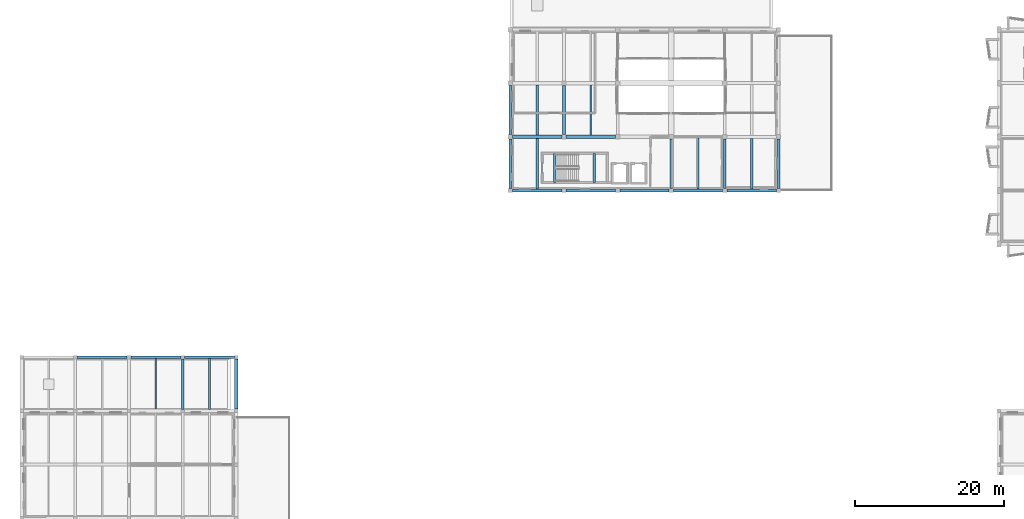
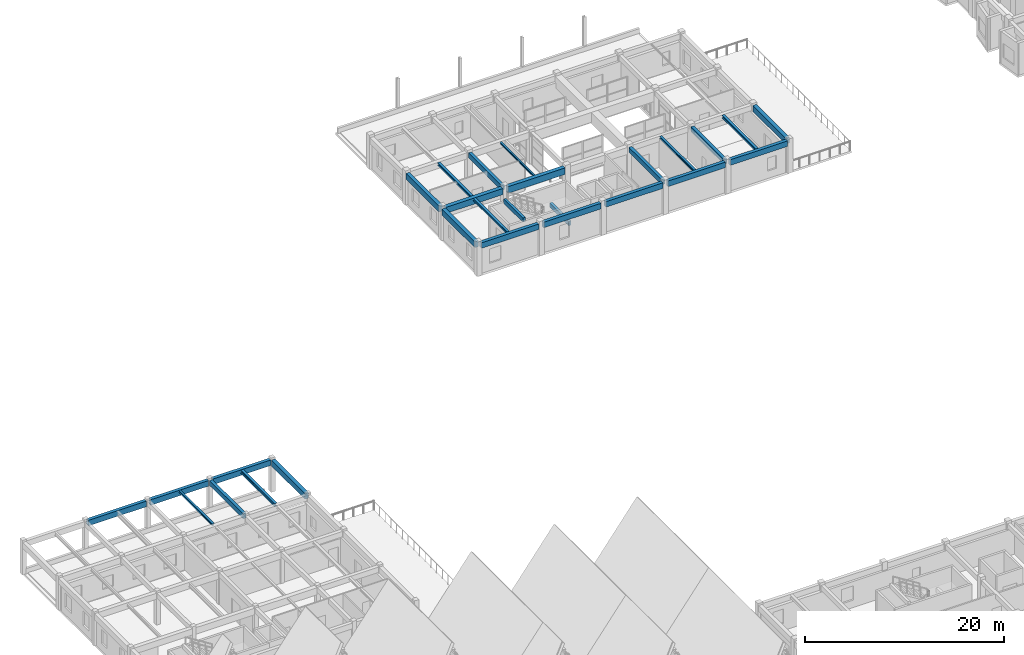
# One storey, part 30 of 99: 27 beams.
"""IFC4 building model written with IfcOpenShell, lengths in metres."""

from ifc_helpers import new_model, si_unit, direction, frame, origin, origin_2d, place, context, subcontext, project, spatial, rectangle, i_section, extrude, material, material_profile, profile_set, type_object, element, save


model = new_model("IFC4")

# Units and contexts
model_context = context("Model", 3, precision=1e-05, world=origin(), true_north=direction((0.0, 1.0)))
body_context = subcontext(model_context, "Body", "Model", "MODEL_VIEW")
ifc_project = project(units=[si_unit("LENGTHUNIT", "METRE"), si_unit("AREAUNIT", "SQUARE_METRE"), si_unit("VOLUMEUNIT", "CUBIC_METRE"), si_unit("PLANEANGLEUNIT", "RADIAN"), si_unit("MASSUNIT", "GRAM", prefix="KILO")], contexts=[model_context])

# Site, building, storey
site_placement = place(None, origin())
site = spatial("IfcSite", under=ifc_project, at=site_placement, CompositionType="ELEMENT")
building_placement = place(site_placement, origin())
building = spatial("IfcBuilding", under=site, at=building_placement, Name="Bramveld Media Centre", CompositionType="ELEMENT")
storey_placement = place(building_placement, frame((0.0, 0.0, 13.800048828125)))
storey = spatial("IfcBuildingStorey", under=building, at=storey_placement, Name="L03", CompositionType="ELEMENT", Elevation=13.800048828125)

# Beams
ifc_material_1 = material(Name="Concrete C40/50", Category="concrete")
ifc_material_profile_1 = material_profile(ifc_material_1, rectangle(XDim=0.300048828125, YDim=0.5, at=origin_2d()), Name="RC 300x500")
ifc_profile_set_1 = profile_set([ifc_material_profile_1], Name="Concrete C40/50")
beam_type_1 = type_object("IfcBeamType", Name="BM-INT-RC-300x500", PredefinedType="BEAM", material=ifc_profile_set_1)
for number, where, z_axis, x_axis, name in (
    (1, (71.550048828125, 91.5, 3.949951171875), (0.0, 1.0, 0.0), (-1.0, 0.0, 0.0), "ST-07 L04 stairwell landing trimmer beam"),
    (2, (76.85009765625, 91.5, 1.64990234375), (0.0, 1.0, 0.0), (-1.0, 0.0, 0.0), "ST-07 L03 stairwell half-landing support beam"),
):
    element("IfcBeam", number, at=place(storey_placement, frame(where, z_axis=z_axis, x_axis=x_axis)), inside=storey, type_object=beam_type_1, Name=name, PredefinedType="BEAM", context=body_context, shape_type="SweptSolid", body=[
        extrude(rectangle(XDim=0.300048828125, YDim=0.5, at=origin_2d()), origin(), (0.0, 0.0, 1.0), 3.85009765625),
    ])
ifc_material_2 = material(Name="Concrete C40/50", Category="concrete")
ifc_material_profile_2 = material_profile(ifc_material_2, rectangle(XDim=0.35009765625, YDim=0.60009765625, at=origin_2d()), Name="RC 350x600")
ifc_profile_set_2 = profile_set([ifc_material_profile_2], Name="Concrete C40/50")
beam_type_2 = type_object("IfcBeamType", Name="BM-INT-RC-350x600", PredefinedType="BEAM", material=ifc_profile_set_2)
beam_1_placement = place(storey_placement, frame((21.60009765625, 61.02490234375, 3.659912109375), z_axis=(0.0, 1.0, 0.0), x_axis=(-1.0, 0.0, 0.0)))
element("IfcBeam", 3, at=beam_1_placement, inside=storey, type_object=beam_type_2, Name="V3 L03 girder Y-423", PredefinedType="BEAM", context=body_context, shape_type="SweptSolid", body=[
    extrude(rectangle(XDim=0.35009765625, YDim=0.60009765625, at=origin_2d()), origin(), (0.0, 0.0, 1.0), 6.735107421875),
])
beam_2_placement = place(storey_placement, frame((72.800048828125, 97.89990234375, 3.579833984375), z_axis=(0.0, 1.0, 0.0), x_axis=(-1.0, 0.0, 0.0)))
element("IfcBeam", 4, at=beam_2_placement, inside=storey, type_object=beam_type_2, Name="V6 L03 girder Y-1156", PredefinedType="BEAM", context=body_context, shape_type="SweptSolid", body=[
    extrude(rectangle(XDim=0.35009765625, YDim=0.60009765625, at=origin_2d()), origin(), (0.0, 0.0, 1.0), 6.60009765625),
])
for number, where, z_axis, x_axis, name in (
    (5, (87.199951171875, 90.68994140625, 3.579833984375), (0.0, 1.0, 0.0), (-1.0, 0.0, 0.0), "V6 L03 girder Y-1160"),
    (6, (94.39990234375, 90.68994140625, 3.579833984375), (0.0, 1.0, 0.0), (-1.0, 0.0, 0.0), "V6 L03 girder Y-1162"),
):
    element("IfcBeam", number, at=place(storey_placement, frame(where, z_axis=z_axis, x_axis=x_axis)), inside=storey, type_object=beam_type_2, Name=name, PredefinedType="BEAM", context=body_context, shape_type="SweptSolid", body=[
        extrude(rectangle(XDim=0.35009765625, YDim=0.60009765625, at=origin_2d()), origin(), (0.0, 0.0, 1.0), 6.610107421875),
    ])
ifc_material_3 = material(Name="Concrete C40/50", Category="concrete")
ifc_material_profile_3 = material_profile(ifc_material_3, rectangle(XDim=0.449951171875, YDim=0.75, at=origin_2d()), Name="RC 450x750")
ifc_profile_set_3 = profile_set([ifc_material_profile_3], Name="Concrete C40/50")
beam_type_3 = type_object("IfcBeamType", Name="BM-INT-RC-450x750", PredefinedType="BEAM", material=ifc_profile_set_3)
beam_3_placement = place(storey_placement, frame((65.889892578125, 97.60009765625, 3.5048828125), z_axis=(1.0, 0.0, 0.0), x_axis=(0.0, 1.0, 0.0)))
element("IfcBeam", 7, at=beam_3_placement, inside=storey, type_object=beam_type_3, Name="V6 L03 girder X-1139", PredefinedType="BEAM", context=body_context, shape_type="SweptSolid", body=[
    extrude(rectangle(XDim=0.449951171875, YDim=0.75, at=origin_2d()), origin(), (0.0, 0.0, 1.0), 6.610107421875),
])
ifc_material_4 = material(Name="Concrete C40/50", Category="concrete")
ifc_material_profile_4 = material_profile(ifc_material_4, rectangle(XDim=0.449951171875, YDim=0.800048828125, at=origin_2d()), Name="RC 450x800")
ifc_profile_set_4 = profile_set([ifc_material_profile_4], Name="Concrete C40/50")
beam_type_4 = type_object("IfcBeamType", Name="BM-INT-RC-450x800", PredefinedType="BEAM", material=ifc_profile_set_4)
beam_4_placement = place(storey_placement, frame((73.10009765625, 97.60009765625, 3.47998046875), z_axis=(1.0, 0.0, 0.0), x_axis=(0.0, 1.0, 0.0)))
element("IfcBeam", 8, at=beam_4_placement, inside=storey, type_object=beam_type_4, Name="V6 L03 girder X-1140", PredefinedType="BEAM", context=body_context, shape_type="SweptSolid", body=[
    extrude(rectangle(XDim=0.449951171875, YDim=0.800048828125, at=origin_2d()), origin(), (0.0, 0.0, 1.0), 6.599853515625),
])
ifc_material_5 = material(Name="Steel S355J2", Category="steel")
ifc_material_profile_5 = material_profile(ifc_material_5, i_section(OverallWidth=0.239990234375, OverallDepth=0.22998046875, WebThickness=0.007568359375, FlangeThickness=0.011962890625, FilletRadius=0.02099609375, at=origin_2d()), Name="HEA 240")
ifc_profile_set_5 = profile_set([ifc_material_profile_5], Name="Steel S355J2")
beam_type_5 = type_object("IfcBeamType", Name="SBM-INT-HEA-240", PredefinedType="BEAM", material=ifc_profile_set_5)
beam_5_placement = place(storey_placement, frame((18.0, 61.050048828125, 3.844970703125), z_axis=(0.0, 1.0, 0.0), x_axis=(-1.0, 0.0, 0.0)))
element("IfcBeam", 9, at=beam_5_placement, inside=storey, type_object=beam_type_5, Name="V3 L03 secondary floor joist 437", PredefinedType="BEAM", context=body_context, shape_type="SweptSolid", body=[
    extrude(i_section(OverallWidth=0.239990234375, OverallDepth=0.22998046875, WebThickness=0.007568359375, FlangeThickness=0.011962890625, FilletRadius=0.02099609375, at=origin_2d()), origin(), (0.0, 0.0, 1.0), 6.760009765625),
])
ifc_material_6 = material(Name="Steel S355J2", Category="steel")
ifc_material_profile_6 = material_profile(ifc_material_6, i_section(OverallWidth=0.300048828125, OverallDepth=0.2900390625, WebThickness=0.008544921875, FlangeThickness=0.013916015625, FilletRadius=0.027099609375, at=origin_2d()), Name="HEA 300")
ifc_profile_set_6 = profile_set([ifc_material_profile_6], Name="Steel S355J2")
beam_type_6 = type_object("IfcBeamType", Name="SBM-INT-HEA-300", PredefinedType="BEAM", material=ifc_profile_set_6)
beam_6_placement = place(storey_placement, frame((69.199951171875, 90.590087890625, 3.73486328125), z_axis=(0.0, 1.0, 0.0), x_axis=(-1.0, 0.0, 0.0)))
element("IfcBeam", 10, at=beam_6_placement, inside=storey, type_object=beam_type_6, Name="V6 L03 secondary floor joist 1168", PredefinedType="BEAM", context=body_context, shape_type="SweptSolid", body=[
    extrude(i_section(OverallWidth=0.300048828125, OverallDepth=0.2900390625, WebThickness=0.008544921875, FlangeThickness=0.013916015625, FilletRadius=0.027099609375, at=origin_2d()), origin(), (0.0, 0.0, 1.0), 6.784912109375),
])
ifc_material_7 = material(Name="Steel S355J2", Category="steel")
ifc_material_profile_7 = material_profile(ifc_material_7, i_section(OverallWidth=0.300048828125, OverallDepth=0.31005859375, WebThickness=0.009033203125, FlangeThickness=0.015380859375, FilletRadius=0.027099609375, at=origin_2d()), Name="HEA 320")
ifc_profile_set_7 = profile_set([ifc_material_profile_7], Name="Steel S355J2")
beam_type_7 = type_object("IfcBeamType", Name="SBM-INT-HEA-320", PredefinedType="BEAM", material=ifc_profile_set_7)
beam_7_placement = place(storey_placement, frame((69.199951171875, 97.824951171875, 3.724853515625), z_axis=(0.0, 1.0, 0.0), x_axis=(-1.0, 0.0, 0.0)))
element("IfcBeam", 11, at=beam_7_placement, inside=storey, type_object=beam_type_7, Name="V6 L03 secondary floor joist 1169", PredefinedType="BEAM", context=body_context, shape_type="SweptSolid", body=[
    extrude(i_section(OverallWidth=0.300048828125, OverallDepth=0.31005859375, WebThickness=0.009033203125, FlangeThickness=0.015380859375, FilletRadius=0.027099609375, at=origin_2d()), origin(), (0.0, 0.0, 1.0), 6.75),
])
ifc_material_8 = material(Name="Steel S355J2", Category="steel")
ifc_material_profile_8 = material_profile(ifc_material_8, i_section(OverallWidth=0.300048828125, OverallDepth=0.389892578125, WebThickness=0.010986328125, FlangeThickness=0.01904296875, FilletRadius=0.027099609375, at=origin_2d()), Name="HEA 400")
ifc_profile_set_8 = profile_set([ifc_material_profile_8], Name="Steel S355J2")
beam_type_8 = type_object("IfcBeamType", Name="SBM-INT-HEA-400", PredefinedType="BEAM", material=ifc_profile_set_8)
beam_8_placement = place(storey_placement, frame((25.199951171875, 61.0, 3.764892578125), z_axis=(0.0, 1.0, 0.0), x_axis=(-1.0, 0.0, 0.0)))
element("IfcBeam", 12, at=beam_8_placement, inside=storey, type_object=beam_type_8, Name="V3 L03 secondary floor joist 441", PredefinedType="BEAM", context=body_context, shape_type="SweptSolid", body=[
    extrude(i_section(OverallWidth=0.300048828125, OverallDepth=0.389892578125, WebThickness=0.010986328125, FlangeThickness=0.01904296875, FilletRadius=0.027099609375, at=origin_2d()), origin(), (0.0, 0.0, 1.0), 6.81005859375),
])
ifc_material_9 = material(Name="Steel S355J2", Category="steel")
ifc_material_profile_9 = material_profile(ifc_material_9, i_section(OverallWidth=0.199951171875, OverallDepth=0.199951171875, WebThickness=0.009033203125, FlangeThickness=0.014892578125, FilletRadius=0.01806640625, at=origin_2d()), Name="HEB 200")
ifc_profile_set_9 = profile_set([ifc_material_profile_9], Name="Steel S355J2")
beam_type_9 = type_object("IfcBeamType", Name="SBM-INT-HEB-200", PredefinedType="BEAM", material=ifc_profile_set_9)
beam_9_placement = place(storey_placement, frame((76.39990234375, 97.824951171875, 3.780029296875), z_axis=(0.0, 1.0, 0.0), x_axis=(-1.0, 0.0, 0.0)))
element("IfcBeam", 13, at=beam_9_placement, inside=storey, type_object=beam_type_9, Name="V6 L03 secondary floor joist 1171", PredefinedType="BEAM", context=body_context, shape_type="SweptSolid", body=[
    extrude(i_section(OverallWidth=0.199951171875, OverallDepth=0.199951171875, WebThickness=0.009033203125, FlangeThickness=0.014892578125, FilletRadius=0.01806640625, at=origin_2d()), origin(), (0.0, 0.0, 1.0), 6.75),
])
ifc_material_10 = material(Name="Steel S355J2", Category="steel")
ifc_material_profile_10 = material_profile(ifc_material_10, i_section(OverallWidth=0.260009765625, OverallDepth=0.260009765625, WebThickness=0.010009765625, FlangeThickness=0.017578125, FilletRadius=0.02392578125, at=origin_2d()), Name="HEB 260")
ifc_profile_set_10 = profile_set([ifc_material_profile_10], Name="Steel S355J2")
beam_type_10 = type_object("IfcBeamType", Name="SBM-INT-HEB-260", PredefinedType="BEAM", material=ifc_profile_set_10)
beam_10_placement = place(storey_placement, frame((90.800048828125, 90.590087890625, 3.75), z_axis=(0.0, 1.0, 0.0), x_axis=(-1.0, 0.0, 0.0)))
element("IfcBeam", 14, at=beam_10_placement, inside=storey, type_object=beam_type_10, Name="V6 L03 secondary floor joist 1173", PredefinedType="BEAM", context=body_context, shape_type="SweptSolid", body=[
    extrude(i_section(OverallWidth=0.260009765625, OverallDepth=0.260009765625, WebThickness=0.010009765625, FlangeThickness=0.017578125, FilletRadius=0.02392578125, at=origin_2d()), origin(), (0.0, 0.0, 1.0), 6.8349609375),
])
ifc_material_11 = material(Name="Steel S355J2", Category="steel")
ifc_material_profile_11 = material_profile(ifc_material_11, i_section(OverallWidth=0.300048828125, OverallDepth=0.320068359375, WebThickness=0.011474609375, FlangeThickness=0.0205078125, FilletRadius=0.027099609375, at=origin_2d()), Name="HEB 320")
ifc_profile_set_11 = profile_set([ifc_material_profile_11], Name="Steel S355J2")
beam_type_11 = type_object("IfcBeamType", Name="SBM-INT-HEB-320", PredefinedType="BEAM", material=ifc_profile_set_11)
beam_11_placement = place(storey_placement, frame((98.0, 90.590087890625, 3.800048828125), z_axis=(0.0, 1.0, 0.0), x_axis=(-1.0, 0.0, 0.0)))
element("IfcBeam", 15, at=beam_11_placement, inside=storey, type_object=beam_type_11, Name="V6 L03 secondary floor joist 1174", PredefinedType="BEAM", context=body_context, shape_type="SweptSolid", body=[
    extrude(i_section(OverallWidth=0.300048828125, OverallDepth=0.320068359375, WebThickness=0.011474609375, FlangeThickness=0.0205078125, FilletRadius=0.027099609375, at=origin_2d()), origin(), (0.0, 0.0, 1.0), 6.809814453125),
])
ifc_material_12 = material(Name="Concrete C40/50", Category="concrete")
ifc_material_profile_12 = material_profile(ifc_material_12, rectangle(XDim=0.3798828125, YDim=0.679931640625, at=origin_2d()), Name="RC 380x680")
ifc_profile_set_12 = profile_set([ifc_material_profile_12], Name="Concrete C40/50")
beam_type_12 = type_object("IfcBeamType", Name="SPANDREL-EXT-RC-380x680", PredefinedType="SPANDREL", material=ifc_profile_set_12)
beam_12_placement = place(storey_placement, frame((7.43994140625, 68.0, 3.619873046875), z_axis=(1.0, 0.0, 0.0), x_axis=(0.0, 1.0, 0.0)))
element("IfcBeam", 16, at=beam_12_placement, inside=storey, type_object=beam_type_12, Name="V3 L03 girder X-406", PredefinedType="SPANDREL", context=body_context, shape_type="SweptSolid", body=[
    extrude(rectangle(XDim=0.3798828125, YDim=0.679931640625, at=origin_2d()), origin(), (0.0, 0.0, 1.0), 6.719970703125),
])
beam_13_placement = place(storey_placement, frame((14.639892578125, 68.0, 3.619873046875), z_axis=(1.0, 0.0, 0.0), x_axis=(0.0, 1.0, 0.0)))
element("IfcBeam", 17, at=beam_13_placement, inside=storey, type_object=beam_type_12, Name="V3 L03 girder X-407", PredefinedType="SPANDREL", context=body_context, shape_type="SweptSolid", body=[
    extrude(rectangle(XDim=0.3798828125, YDim=0.679931640625, at=origin_2d()), origin(), (0.0, 0.0, 1.0), 6.72021484375),
])
beam_14_placement = place(storey_placement, frame((21.840087890625, 68.0, 3.619873046875), z_axis=(1.0, 0.0, 0.0), x_axis=(0.0, 1.0, 0.0)))
element("IfcBeam", 18, at=beam_14_placement, inside=storey, type_object=beam_type_12, Name="V3 L03 girder X-408", PredefinedType="SPANDREL", context=body_context, shape_type="SweptSolid", body=[
    extrude(rectangle(XDim=0.3798828125, YDim=0.679931640625, at=origin_2d()), origin(), (0.0, 0.0, 1.0), 6.719970703125),
])
beam_15_placement = place(storey_placement, frame((65.889892578125, 90.39990234375, 3.5400390625), z_axis=(1.0, 0.0, 0.0), x_axis=(0.0, 1.0, 0.0)))
element("IfcBeam", 19, at=beam_15_placement, inside=storey, type_object=beam_type_12, Name="V6 L03 girder X-1134", PredefinedType="SPANDREL", context=body_context, shape_type="SweptSolid", body=[
    extrude(rectangle(XDim=0.3798828125, YDim=0.679931640625, at=origin_2d()), origin(), (0.0, 0.0, 1.0), 6.6201171875),
])
for number, where, z_axis, x_axis, name in (
    (20, (73.090087890625, 90.39990234375, 3.5400390625), (1.0, 0.0, 0.0), (0.0, 1.0, 0.0), "V6 L03 girder X-1135"),
    (21, (80.2900390625, 90.39990234375, 3.5400390625), (1.0, 0.0, 0.0), (0.0, 1.0, 0.0), "V6 L03 girder X-1136"),
):
    element("IfcBeam", number, at=place(storey_placement, frame(where, z_axis=z_axis, x_axis=x_axis)), inside=storey, type_object=beam_type_12, Name=name, PredefinedType="SPANDREL", context=body_context, shape_type="SweptSolid", body=[
        extrude(rectangle(XDim=0.3798828125, YDim=0.679931640625, at=origin_2d()), origin(), (0.0, 0.0, 1.0), 6.619873046875),
    ])
for number, where, z_axis, x_axis, name in (
    (22, (87.489990234375, 90.39990234375, 3.5400390625), (1.0, 0.0, 0.0), (0.0, 1.0, 0.0), "V6 L03 girder X-1137"),
    (23, (94.68994140625, 90.39990234375, 3.619873046875), (1.0, 0.0, 0.0), (0.0, 1.0, 0.0), "V6 L03 girder X-1138"),
):
    element("IfcBeam", number, at=place(storey_placement, frame(where, z_axis=z_axis, x_axis=x_axis)), inside=storey, type_object=beam_type_12, Name=name, PredefinedType="SPANDREL", context=body_context, shape_type="SweptSolid", body=[
        extrude(rectangle(XDim=0.3798828125, YDim=0.679931640625, at=origin_2d()), origin(), (0.0, 0.0, 1.0), 6.6201171875),
    ])
ifc_material_13 = material(Name="Concrete C40/50", Category="concrete")
ifc_material_profile_13 = material_profile(ifc_material_13, rectangle(XDim=0.419921875, YDim=0.719970703125, at=origin_2d()), Name="RC 420x720")
ifc_profile_set_13 = profile_set([ifc_material_profile_13], Name="Concrete C40/50")
beam_type_13 = type_object("IfcBeamType", Name="SPANDREL-EXT-RC-420x720", PredefinedType="SPANDREL", material=ifc_profile_set_13)
beam_16_placement = place(storey_placement, frame((28.800048828125, 61.0400390625, 3.599853515625), z_axis=(0.0, 1.0, 0.0), x_axis=(-1.0, 0.0, 0.0)))
element("IfcBeam", 24, at=beam_16_placement, inside=storey, type_object=beam_type_13, Name="V3 L03 girder Y-427", PredefinedType="SPANDREL", context=body_context, shape_type="SweptSolid", body=[
    extrude(rectangle(XDim=0.419921875, YDim=0.719970703125, at=origin_2d()), origin(), (0.0, 0.0, 1.0), 6.719970703125),
])
for number, where, z_axis, x_axis, name in (
    (25, (65.60009765625, 90.68994140625, 3.52001953125), (0.0, 1.0, 0.0), (-1.0, 0.0, 0.0), "V6 L03 girder Y-1153"),
    (26, (65.60009765625, 97.889892578125, 3.52001953125), (0.0, 1.0, 0.0), (-1.0, 0.0, 0.0), "V6 L03 girder Y-1154"),
    (27, (101.60009765625, 90.68994140625, 3.599853515625), (0.0, 1.0, 0.0), (-1.0, 0.0, 0.0), "V6 L03 girder Y-1165"),
):
    element("IfcBeam", number, at=place(storey_placement, frame(where, z_axis=z_axis, x_axis=x_axis)), inside=storey, type_object=beam_type_13, Name=name, PredefinedType="SPANDREL", context=body_context, shape_type="SweptSolid", body=[
        extrude(rectangle(XDim=0.419921875, YDim=0.719970703125, at=origin_2d()), origin(), (0.0, 0.0, 1.0), 6.6201171875),
    ])

save(model, "model.ifc")
